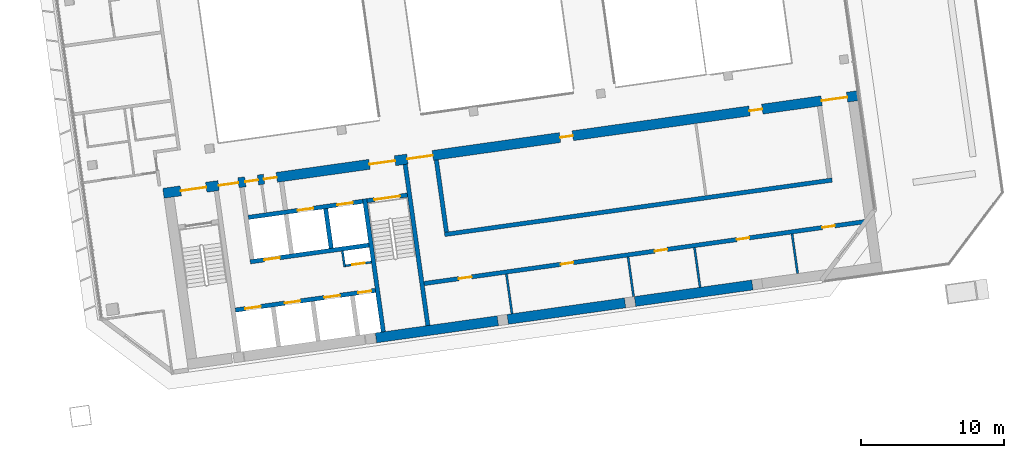
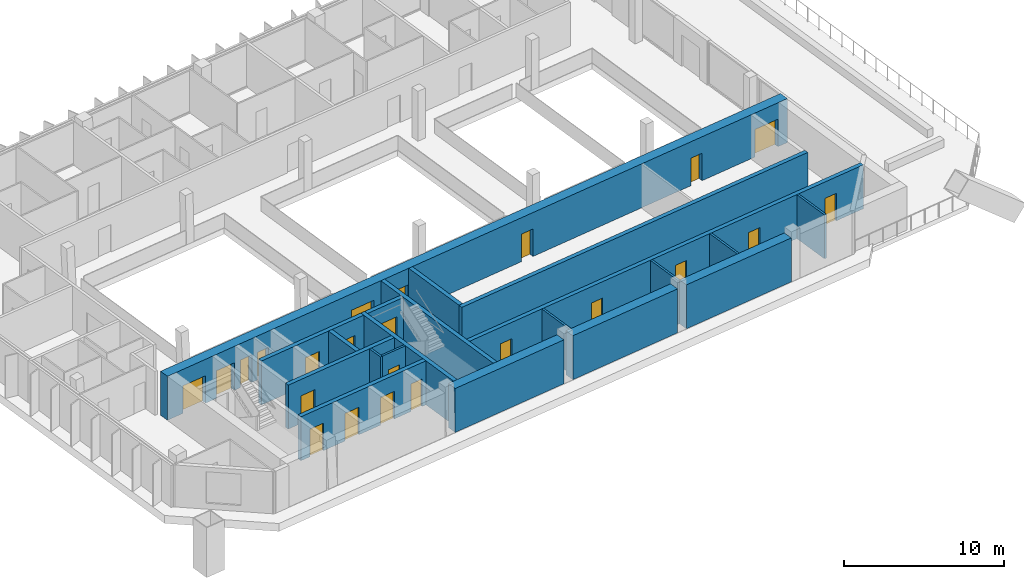
# One storey, part 18 of 23: 23 doors, 20 walls, 23 openings.
"""IFC4 building model written with IfcOpenShell, lengths in metres."""

from ifc_helpers import new_model, si_unit, direction, frame, frame_2d, origin, place, context, subcontext, project, spatial, rectangle, extrude, material, layer, layer_set, type_object, element, fill, save


model = new_model("IFC4")

# Units and contexts
model_context = context("Model", 3, precision=1e-05, world=origin(), true_north=direction((0.0, 1.0)))
body_context = subcontext(model_context, "Body", "Model", "MODEL_VIEW")
ifc_project = project(units=[si_unit("LENGTHUNIT", "METRE"), si_unit("AREAUNIT", "SQUARE_METRE"), si_unit("VOLUMEUNIT", "CUBIC_METRE"), si_unit("PLANEANGLEUNIT", "RADIAN"), si_unit("MASSUNIT", "GRAM", prefix="KILO")], contexts=[model_context])

# Site, building, storey
site_placement = place(None, origin())
site = spatial("IfcSite", under=ifc_project, at=site_placement, CompositionType="ELEMENT")
building_placement = place(site_placement, origin())
building = spatial("IfcBuilding", under=site, at=building_placement, Name="Mirante Cascada Hotel Towers", CompositionType="ELEMENT")
storey_placement = place(building_placement, frame((0.0, 0.0, 180.2)))
storey = spatial("IfcBuildingStorey", under=building, at=storey_placement, Name="L42", CompositionType="ELEMENT", Elevation=180.2)

# Wall
ifc_material_1 = material(Name="Masonry block", Category="masonry")
ifc_layer_1 = layer(ifc_material_1, 0.15)
ifc_layer_set_1 = layer_set([ifc_layer_1], Name="Core room partition 150 block EI 30")
wall_type_1 = type_object("IfcWallType", Name="Core room partition 150 block EI 30", PredefinedType="PARTITIONING", material=ifc_layer_set_1)
wall_1_placement = place(storey_placement, frame((48.2295, -12.793, 0.0), z_axis=(0.0, 0.0, 1.0), x_axis=(-0.1391935, 0.9902652, 0.0)))
element("IfcWall", 1, at=wall_1_placement, inside=storey, type_object=wall_type_1, Name="Core wall partition T2 L42 2", PredefinedType="PARTITIONING", context=body_context, shape_type="SweptSolid", body=[
    extrude(rectangle(XDim=1.1251, YDim=0.15, at=frame_2d((0.5626, 0.0))), origin(), (0.0, 0.0, 1.0), 3.35),
])

# Wall, opening, door
wall_2_placement = place(storey_placement, frame((48.2933, -12.7083, 0.0), z_axis=(0.0, 0.0, 1.0), x_axis=(0.990268, 0.1391734, 0.0)))
wall_2 = element("IfcWall", 2, at=wall_2_placement, inside=storey, type_object=wall_type_1, Name="Core wall partition T2 L42 3", PredefinedType="PARTITIONING", context=body_context, shape_type="SweptSolid", body=[
    extrude(rectangle(XDim=1.8251, YDim=0.15, at=frame_2d((0.9126, 0.0))), origin(), (0.0, 0.0, 1.0), 3.35),
])
opening_1_placement = place(wall_2_placement, frame((0.4625, 0.0, 0.0)))
opening_1 = element("IfcOpeningElement", 3, at=opening_1_placement, cuts=wall_2, Name="Opening D2-42-C15", PredefinedType="OPENING", context=body_context, shape_type="SweptSolid", body=[
    extrude(rectangle(XDim=0.9, YDim=2.1, at=frame_2d((0.45, 1.05))), frame((0.0, 0.075, 0.0), z_axis=(0.0, -1.0, 0.0), x_axis=(1.0, 0.0, 0.0)), (0.0, 0.0, 1.0), 0.15),
])
ifc_material_2 = material(Name="Hollow metal fire door leaf")
door_type_1 = type_object("IfcDoorType", Name="Fire door 900x2100 FD60", OperationType="NOTDEFINED", PredefinedType="DOOR", material=ifc_material_2)
door_1_placement = place(opening_1_placement, frame((0.9, 0.0, 0.0), z_axis=(0.0, 0.0, 1.0), x_axis=(-1.0, 0.0, 0.0)))
door_1 = element("IfcDoor", 4, at=door_1_placement, inside=storey, type_object=door_type_1, Name="Riser door T2 L42 15", OperationType="SINGLE_SWING_RIGHT", OverallHeight=2.1, OverallWidth=0.9, PredefinedType="DOOR", context=body_context, shape_type="SweptSolid", body=[
    extrude(rectangle(XDim=0.9, YDim=2.1, at=frame_2d((0.45, 1.05))), frame((0.0, 0.025, 0.0), z_axis=(0.0, -1.0, 0.0), x_axis=(1.0, 0.0, 0.0)), (0.0, 0.0, 1.0), 0.05),
])
fill(opening_1, door_1)

# Walls
for number, where, z_axis, x_axis, name in (
    (5, (59.9495, -16.0688, 0.0), (0.0, 0.0, 1.0), (-0.139176, 0.9902677, 0.0), "Core wall partition T2 L42 6"),
    (6, (68.4658, -14.8719, 0.0), (0.0, 0.0, 1.0), (-0.139176, 0.9902677, 0.0), "Core wall partition T2 L42 7"),
    (7, (73.12, -14.2178, 0.0), (0.0, 0.0, 1.0), (-0.139176, 0.9902677, 0.0), "Core wall partition T2 L42 8"),
    (8, (79.9529, -13.2575, 0.0), (0.0, 0.0, 1.0), (-0.139176, 0.9902677, 0.0), "Core wall partition T2 L42 9"),
):
    element("IfcWall", number, at=place(storey_placement, frame(where, z_axis=z_axis, x_axis=x_axis)), inside=storey, type_object=wall_type_1, Name=name, PredefinedType="PARTITIONING", context=body_context, shape_type="SweptSolid", body=[
        extrude(rectangle(XDim=2.8001, YDim=0.15, at=frame_2d((1.4, 0.0))), origin(), (0.0, 0.0, 1.0), 3.35),
    ])

# Wall, openings, doors
ifc_material_3 = material(Name="Masonry block", Category="masonry")
ifc_layer_2 = layer(ifc_material_3, 0.3)
ifc_layer_set_2 = layer_set([ifc_layer_2], Name="Core wall 300 block EI 120")
wall_type_2 = type_object("IfcWallType", Name="Core wall 300 block EI 120", PredefinedType="PARTITIONING", material=ifc_layer_set_2)
wall_3_placement = place(storey_placement, frame((53.7953, -13.9547, 0.0), z_axis=(0.0, 0.0, 1.0), x_axis=(0.9902681, 0.1391729, 0.0)))
wall_3 = element("IfcWall", 9, at=wall_3_placement, inside=storey, type_object=wall_type_2, Name="Core wall partition T2 L42 5", PredefinedType="PARTITIONING", context=body_context, shape_type="SweptSolid", body=[
    extrude(rectangle(XDim=31.2, YDim=0.3, at=frame_2d((15.6, 0.0))), origin(), (0.0, 0.0, 1.0), 3.35),
])
opening_2_placement = place(wall_3_placement, frame((2.45, 0.0, 0.0)))
opening_2 = element("IfcOpeningElement", 10, at=opening_2_placement, cuts=wall_3, Name="Opening D2-42-C18", PredefinedType="OPENING", context=body_context, shape_type="SweptSolid", body=[
    extrude(rectangle(XDim=0.9, YDim=2.1, at=frame_2d((0.45, 1.05))), frame((0.0, 0.15, 0.0), z_axis=(0.0, -1.0, 0.0), x_axis=(1.0, 0.0, 0.0)), (0.0, 0.0, 1.0), 0.3),
])
opening_3_placement = place(wall_3_placement, frame((9.65, 0.0, 0.0)))
opening_3 = element("IfcOpeningElement", 11, at=opening_3_placement, cuts=wall_3, Name="Opening D2-42-C19", PredefinedType="OPENING", context=body_context, shape_type="SweptSolid", body=[
    extrude(rectangle(XDim=0.9, YDim=2.1, at=frame_2d((0.45, 1.05))), frame((0.0, 0.15, 0.0), z_axis=(0.0, -1.0, 0.0), x_axis=(1.0, 0.0, 0.0)), (0.0, 0.0, 1.0), 0.3),
])
opening_4_placement = place(wall_3_placement, frame((16.3, 0.0, 0.0)))
opening_4 = element("IfcOpeningElement", 12, at=opening_4_placement, cuts=wall_3, Name="Opening D2-42-C20", PredefinedType="OPENING", context=body_context, shape_type="SweptSolid", body=[
    extrude(rectangle(XDim=0.9, YDim=2.1, at=frame_2d((0.45, 1.05))), frame((0.0, 0.15, 0.0), z_axis=(0.0, -1.0, 0.0), x_axis=(1.0, 0.0, 0.0)), (0.0, 0.0, 1.0), 0.3),
])
opening_5_placement = place(wall_3_placement, frame((22.1, 0.0, 0.0)))
opening_5 = element("IfcOpeningElement", 13, at=opening_5_placement, cuts=wall_3, Name="Opening D2-42-C21", PredefinedType="OPENING", context=body_context, shape_type="SweptSolid", body=[
    extrude(rectangle(XDim=0.9, YDim=2.1, at=frame_2d((0.45, 1.05))), frame((0.0, 0.15, 0.0), z_axis=(0.0, -1.0, 0.0), x_axis=(1.0, 0.0, 0.0)), (0.0, 0.0, 1.0), 0.3),
])
opening_6_placement = place(wall_3_placement, frame((28.15, 0.0, 0.0)))
opening_6 = element("IfcOpeningElement", 14, at=opening_6_placement, cuts=wall_3, Name="Opening D2-42-C22", PredefinedType="OPENING", context=body_context, shape_type="SweptSolid", body=[
    extrude(rectangle(XDim=0.9, YDim=2.1, at=frame_2d((0.45, 1.05))), frame((0.0, 0.15, 0.0), z_axis=(0.0, -1.0, 0.0), x_axis=(1.0, 0.0, 0.0)), (0.0, 0.0, 1.0), 0.3),
])
door_2_placement = place(opening_2_placement, frame((0.9, 0.0, 0.0), z_axis=(0.0, 0.0, 1.0), x_axis=(-1.0, 0.0, 0.0)))
door_2 = element("IfcDoor", 15, at=door_2_placement, inside=storey, type_object=door_type_1, Name="Room door T2 L42 18", OperationType="SINGLE_SWING_LEFT", OverallHeight=2.1, OverallWidth=0.9, PredefinedType="DOOR", context=body_context, shape_type="SweptSolid", body=[
    extrude(rectangle(XDim=0.9, YDim=2.1, at=frame_2d((0.45, 1.05))), frame((0.0, 0.025, 0.0), z_axis=(0.0, -1.0, 0.0), x_axis=(1.0, 0.0, 0.0)), (0.0, 0.0, 1.0), 0.05),
])
fill(opening_2, door_2)
door_3_placement = place(opening_3_placement, frame((0.9, 0.0, 0.0), z_axis=(0.0, 0.0, 1.0), x_axis=(-1.0, 0.0, 0.0)))
door_3 = element("IfcDoor", 16, at=door_3_placement, inside=storey, type_object=door_type_1, Name="Room door T2 L42 19", OperationType="SINGLE_SWING_LEFT", OverallHeight=2.1, OverallWidth=0.9, PredefinedType="DOOR", context=body_context, shape_type="SweptSolid", body=[
    extrude(rectangle(XDim=0.9, YDim=2.1, at=frame_2d((0.45, 1.05))), frame((0.0, 0.025, 0.0), z_axis=(0.0, -1.0, 0.0), x_axis=(1.0, 0.0, 0.0)), (0.0, 0.0, 1.0), 0.05),
])
fill(opening_3, door_3)
door_4_placement = place(opening_4_placement, frame((0.9, 0.0, 0.0), z_axis=(0.0, 0.0, 1.0), x_axis=(-1.0, 0.0, 0.0)))
door_4 = element("IfcDoor", 17, at=door_4_placement, inside=storey, type_object=door_type_1, Name="Room door T2 L42 20", OperationType="SINGLE_SWING_RIGHT", OverallHeight=2.1, OverallWidth=0.9, PredefinedType="DOOR", context=body_context, shape_type="SweptSolid", body=[
    extrude(rectangle(XDim=0.9, YDim=2.1, at=frame_2d((0.45, 1.05))), frame((0.0, 0.025, 0.0), z_axis=(0.0, -1.0, 0.0), x_axis=(1.0, 0.0, 0.0)), (0.0, 0.0, 1.0), 0.05),
])
fill(opening_4, door_4)
door_5_placement = place(opening_5_placement, frame((0.9, 0.0, 0.0), z_axis=(0.0, 0.0, 1.0), x_axis=(-1.0, 0.0, 0.0)))
door_5 = element("IfcDoor", 18, at=door_5_placement, inside=storey, type_object=door_type_1, Name="Room door T2 L42 21", OperationType="SINGLE_SWING_RIGHT", OverallHeight=2.1, OverallWidth=0.9, PredefinedType="DOOR", context=body_context, shape_type="SweptSolid", body=[
    extrude(rectangle(XDim=0.9, YDim=2.1, at=frame_2d((0.45, 1.05))), frame((0.0, 0.025, 0.0), z_axis=(0.0, -1.0, 0.0), x_axis=(1.0, 0.0, 0.0)), (0.0, 0.0, 1.0), 0.05),
])
fill(opening_5, door_5)
door_6_placement = place(opening_6_placement, frame((0.9, 0.0, 0.0), z_axis=(0.0, 0.0, 1.0), x_axis=(-1.0, 0.0, 0.0)))
door_6 = element("IfcDoor", 19, at=door_6_placement, inside=storey, type_object=door_type_1, Name="Room door T2 L42 22", OperationType="SINGLE_SWING_RIGHT", OverallHeight=2.1, OverallWidth=0.9, PredefinedType="DOOR", context=body_context, shape_type="SweptSolid", body=[
    extrude(rectangle(XDim=0.9, YDim=2.1, at=frame_2d((0.45, 1.05))), frame((0.0, 0.025, 0.0), z_axis=(0.0, -1.0, 0.0), x_axis=(1.0, 0.0, 0.0)), (0.0, 0.0, 1.0), 0.05),
])
fill(opening_6, door_6)

# Walls
ifc_material_4 = material(Name="Concrete C50/60", Category="concrete")
ifc_layer_3 = layer(ifc_material_4, 0.3)
ifc_layer_set_3 = layer_set([ifc_layer_3], Name="RC core wall 300 C50/60")
wall_type_3 = type_object("IfcWallType", Name="RC core wall 300 C50/60", PredefinedType="SHEAR", material=ifc_layer_set_3)
wall_4_placement = place(storey_placement, frame((50.938, -17.3352, 0.0), z_axis=(0.0, 0.0, 1.0), x_axis=(-0.1391706, 0.9902684, 0.0)))
element("IfcWall", 20, at=wall_4_placement, inside=storey, type_object=wall_type_3, Name="Core wall T2:L42:6", PredefinedType="SHEAR", context=body_context, shape_type="SweptSolid", body=[
    extrude(rectangle(XDim=9.4, YDim=0.3, at=frame_2d((4.7, 0.0))), origin(), (0.0, 0.0, 1.0), 3.35),
])
wall_5_placement = place(storey_placement, frame((54.0574, -16.8968, 0.0), z_axis=(0.0, 0.0, 1.0), x_axis=(-0.1391761, 0.9902677, 0.0)))
element("IfcWall", 21, at=wall_5_placement, inside=storey, type_object=wall_type_3, Name="Core wall T2:L42:7", PredefinedType="SHEAR", context=body_context, shape_type="SweptSolid", body=[
    extrude(rectangle(XDim=11.3999, YDim=0.3, at=frame_2d((5.7, 0.0))), origin(), (0.0, 0.0, 1.0), 3.35),
])

# Wall, opening, door
wall_6_placement = place(storey_placement, frame((49.7992, -8.1544, 0.0), z_axis=(0.0, 0.0, 1.0), x_axis=(0.9902656, 0.1391909, 0.0)))
wall_6 = element("IfcWall", 22, at=wall_6_placement, inside=storey, type_object=wall_type_3, Name="Core wall T2:L42:9", PredefinedType="SHEAR", context=body_context, shape_type="SweptSolid", body=[
    extrude(rectangle(XDim=2.85, YDim=0.3, at=frame_2d((1.425, 0.0))), origin(), (0.0, 0.0, 1.0), 3.35),
])
opening_7_placement = place(wall_6_placement, frame((0.525, 0.0, 0.0)))
opening_7 = element("IfcOpeningElement", 23, at=opening_7_placement, cuts=wall_6, Name="Opening D2-42-C09", PredefinedType="OPENING", context=body_context, shape_type="SweptSolid", body=[
    extrude(rectangle(XDim=1.8, YDim=2.1, at=frame_2d((0.9, 1.05))), frame((0.0, 0.15, 0.0), z_axis=(0.0, -1.0, 0.0), x_axis=(1.0, 0.0, 0.0)), (0.0, 0.0, 1.0), 0.3),
])
ifc_material_5 = material(Name="Hollow metal fire door leaf")
door_type_2 = type_object("IfcDoorType", Name="Double fire door 1800x2100 FD60", OperationType="DOUBLE_DOOR_SINGLE_SWING", PredefinedType="DOOR", material=ifc_material_5)
door_7_placement = place(opening_7_placement, frame((1.8, 0.0, 0.0), z_axis=(0.0, 0.0, 1.0), x_axis=(-1.0, 0.0, 0.0)))
door_7 = element("IfcDoor", 24, at=door_7_placement, inside=storey, type_object=door_type_2, Name="Stair door T2 L42 9", OperationType="DOUBLE_DOOR_SINGLE_SWING", OverallHeight=2.1, OverallWidth=1.8, PredefinedType="DOOR", context=body_context, shape_type="SweptSolid", body=[
    extrude(rectangle(XDim=0.895, YDim=2.1, at=frame_2d((0.4475, 1.05))), frame((0.0, 0.025, 0.0), z_axis=(0.0, -1.0, 0.0), x_axis=(1.0, 0.0, 0.0)), (0.0, 0.0, 1.0), 0.05),
    extrude(rectangle(XDim=0.895, YDim=2.1, at=frame_2d((1.3525, 1.05))), frame((0.0, 0.025, 0.0), z_axis=(0.0, -1.0, 0.0), x_axis=(1.0, 0.0, 0.0)), (0.0, 0.0, 1.0), 0.05),
])
fill(opening_7, door_7)

# Wall, openings, doors
wall_7_placement = place(storey_placement, frame((40.5753, -15.8126, 0.0), z_axis=(0.0, 0.0, 1.0), x_axis=(0.9902682, 0.1391725, 0.0)))
wall_7 = element("IfcWall", 25, at=wall_7_placement, inside=storey, type_object=wall_type_3, Name="Core wall T2:L42:10", PredefinedType="SHEAR", context=body_context, shape_type="SweptSolid", body=[
    extrude(rectangle(XDim=9.8999, YDim=0.3, at=frame_2d((4.95, 0.0))), origin(), (0.0, 0.0, 1.0), 3.35),
])
opening_8_placement = place(wall_7_placement, frame((0.7, 0.0, 0.0)))
opening_8 = element("IfcOpeningElement", 26, at=opening_8_placement, cuts=wall_7, Name="Opening LD", PredefinedType="OPENING", context=body_context, shape_type="SweptSolid", body=[
    extrude(rectangle(XDim=1.1, YDim=2.1, at=frame_2d((0.55, 1.05))), frame((0.0, 0.15, 0.0), z_axis=(0.0, -1.0, 0.0), x_axis=(1.0, 0.0, 0.0)), (0.0, 0.0, 1.0), 0.3),
])
opening_9_placement = place(wall_7_placement, frame((3.5, 0.0, 0.0)))
opening_9 = element("IfcOpeningElement", 27, at=opening_9_placement, cuts=wall_7, Name="Opening LD", PredefinedType="OPENING", context=body_context, shape_type="SweptSolid", body=[
    extrude(rectangle(XDim=1.1, YDim=2.1, at=frame_2d((0.55, 1.05))), frame((0.0, 0.15, 0.0), z_axis=(0.0, -1.0, 0.0), x_axis=(1.0, 0.0, 0.0)), (0.0, 0.0, 1.0), 0.3),
])
opening_10_placement = place(wall_7_placement, frame((6.3, 0.0, 0.0)))
opening_10 = element("IfcOpeningElement", 28, at=opening_10_placement, cuts=wall_7, Name="Opening LD", PredefinedType="OPENING", context=body_context, shape_type="SweptSolid", body=[
    extrude(rectangle(XDim=1.1, YDim=2.1, at=frame_2d((0.55, 1.05))), frame((0.0, 0.15, 0.0), z_axis=(0.0, -1.0, 0.0), x_axis=(1.0, 0.0, 0.0)), (0.0, 0.0, 1.0), 0.3),
])
opening_11_placement = place(wall_7_placement, frame((8.7, 0.0, 0.0)))
opening_11 = element("IfcOpeningElement", 29, at=opening_11_placement, cuts=wall_7, Name="Opening D2-42-C14", PredefinedType="OPENING", context=body_context, shape_type="SweptSolid", body=[
    extrude(rectangle(XDim=0.9, YDim=2.1, at=frame_2d((0.45, 1.05))), frame((0.0, 0.15, 0.0), z_axis=(0.0, -1.0, 0.0), x_axis=(1.0, 0.0, 0.0)), (0.0, 0.0, 1.0), 0.3),
])
door_8_placement = place(opening_11_placement, frame((0.9, 0.0, 0.0), z_axis=(0.0, 0.0, 1.0), x_axis=(-1.0, 0.0, 0.0)))
door_8 = element("IfcDoor", 30, at=door_8_placement, inside=storey, type_object=door_type_1, Name="Riser door T2 L42 14", OperationType="SINGLE_SWING_RIGHT", OverallHeight=2.1, OverallWidth=0.9, PredefinedType="DOOR", context=body_context, shape_type="SweptSolid", body=[
    extrude(rectangle(XDim=0.9, YDim=2.1, at=frame_2d((0.45, 1.05))), frame((0.0, 0.025, 0.0), z_axis=(0.0, -1.0, 0.0), x_axis=(1.0, 0.0, 0.0)), (0.0, 0.0, 1.0), 0.05),
])
fill(opening_11, door_8)
ifc_material_6 = material(Name="Stainless steel", Category="steel")
door_type_3 = type_object("IfcDoorType", Name="Lift landing door 1100x2100 EI 120", OperationType="DOUBLE_DOOR_SLIDING", PredefinedType="DOOR", material=ifc_material_6)
door_9_placement = place(opening_8_placement, origin())
door_9 = element("IfcDoor", 31, at=door_9_placement, inside=storey, type_object=door_type_3, Name="Lift landing door HR2-1 L42", OperationType="DOUBLE_DOOR_SLIDING", OverallHeight=2.1, OverallWidth=1.1, PredefinedType="DOOR", context=body_context, shape_type="SweptSolid", body=[
    extrude(rectangle(XDim=0.545, YDim=2.1, at=frame_2d((0.2725, 1.05))), frame((0.0, 0.025, 0.0), z_axis=(0.0, -1.0, 0.0), x_axis=(1.0, 0.0, 0.0)), (0.0, 0.0, 1.0), 0.05),
    extrude(rectangle(XDim=0.545, YDim=2.1, at=frame_2d((0.8275, 1.05))), frame((0.0, 0.025, 0.0), z_axis=(0.0, -1.0, 0.0), x_axis=(1.0, 0.0, 0.0)), (0.0, 0.0, 1.0), 0.05),
])
fill(opening_8, door_9)
door_10_placement = place(opening_9_placement, origin())
door_10 = element("IfcDoor", 32, at=door_10_placement, inside=storey, type_object=door_type_3, Name="Lift landing door HR2-2 L42", OperationType="DOUBLE_DOOR_SLIDING", OverallHeight=2.1, OverallWidth=1.1, PredefinedType="DOOR", context=body_context, shape_type="SweptSolid", body=[
    extrude(rectangle(XDim=0.545, YDim=2.1, at=frame_2d((0.2725, 1.05))), frame((0.0, 0.025, 0.0), z_axis=(0.0, -1.0, 0.0), x_axis=(1.0, 0.0, 0.0)), (0.0, 0.0, 1.0), 0.05),
    extrude(rectangle(XDim=0.545, YDim=2.1, at=frame_2d((0.8275, 1.05))), frame((0.0, 0.025, 0.0), z_axis=(0.0, -1.0, 0.0), x_axis=(1.0, 0.0, 0.0)), (0.0, 0.0, 1.0), 0.05),
])
fill(opening_9, door_10)
door_11_placement = place(opening_10_placement, origin())
door_11 = element("IfcDoor", 33, at=door_11_placement, inside=storey, type_object=door_type_3, Name="Lift landing door HR2-3 L42", OperationType="DOUBLE_DOOR_SLIDING", OverallHeight=2.1, OverallWidth=1.1, PredefinedType="DOOR", context=body_context, shape_type="SweptSolid", body=[
    extrude(rectangle(XDim=0.545, YDim=2.1, at=frame_2d((0.2725, 1.05))), frame((0.0, 0.025, 0.0), z_axis=(0.0, -1.0, 0.0), x_axis=(1.0, 0.0, 0.0)), (0.0, 0.0, 1.0), 0.05),
    extrude(rectangle(XDim=0.545, YDim=2.1, at=frame_2d((0.8275, 1.05))), frame((0.0, 0.025, 0.0), z_axis=(0.0, -1.0, 0.0), x_axis=(1.0, 0.0, 0.0)), (0.0, 0.0, 1.0), 0.05),
])
fill(opening_10, door_11)

# Wall, opening, door
wall_8_placement = place(storey_placement, frame((41.6153, -12.435, 0.0), z_axis=(0.0, 0.0, 1.0), x_axis=(0.9902691, 0.139166, 0.0)))
wall_8 = element("IfcWall", 34, at=wall_8_placement, inside=storey, type_object=wall_type_3, Name="Core wall T2:L42:11", PredefinedType="SHEAR", context=body_context, shape_type="SweptSolid", body=[
    extrude(rectangle(XDim=8.4, YDim=0.3, at=frame_2d((4.2, 0.0))), origin(), (0.0, 0.0, 1.0), 3.35),
])
opening_12_placement = place(wall_8_placement, frame((1.0, 0.0, 0.0)))
opening_12 = element("IfcOpeningElement", 35, at=opening_12_placement, cuts=wall_8, Name="Opening LD", PredefinedType="OPENING", context=body_context, shape_type="SweptSolid", body=[
    extrude(rectangle(XDim=1.1, YDim=2.1, at=frame_2d((0.55, 1.05))), frame((0.0, 0.15, 0.0), z_axis=(0.0, -1.0, 0.0), x_axis=(1.0, 0.0, 0.0)), (0.0, 0.0, 1.0), 0.3),
])
door_12_placement = place(opening_12_placement, origin())
door_12 = element("IfcDoor", 36, at=door_12_placement, inside=storey, type_object=door_type_3, Name="Lift landing door HR2-4 L42", OperationType="DOUBLE_DOOR_SLIDING", OverallHeight=2.1, OverallWidth=1.1, PredefinedType="DOOR", context=body_context, shape_type="SweptSolid", body=[
    extrude(rectangle(XDim=0.545, YDim=2.1, at=frame_2d((0.2725, 1.05))), frame((0.0, 0.025, 0.0), z_axis=(0.0, -1.0, 0.0), x_axis=(1.0, 0.0, 0.0)), (0.0, 0.0, 1.0), 0.05),
    extrude(rectangle(XDim=0.545, YDim=2.1, at=frame_2d((0.8275, 1.05))), frame((0.0, 0.025, 0.0), z_axis=(0.0, -1.0, 0.0), x_axis=(1.0, 0.0, 0.0)), (0.0, 0.0, 1.0), 0.05),
])
fill(opening_12, door_12)

# Wall, openings, doors
wall_9_placement = place(storey_placement, frame((41.481, -9.3234, 0.0), z_axis=(0.0, 0.0, 1.0), x_axis=(0.9902679, 0.1391741, 0.0)))
wall_9 = element("IfcWall", 37, at=wall_9_placement, inside=storey, type_object=wall_type_3, Name="Core wall T2:L42:12", PredefinedType="SHEAR", context=body_context, shape_type="SweptSolid", body=[
    extrude(rectangle(XDim=8.0999, YDim=0.3, at=frame_2d((4.05, 0.0))), origin(), (0.0, 0.0, 1.0), 3.35),
])
opening_13_placement = place(wall_9_placement, frame((3.5, 0.0, 0.0)))
opening_13 = element("IfcOpeningElement", 38, at=opening_13_placement, cuts=wall_9, Name="Opening LD", PredefinedType="OPENING", context=body_context, shape_type="SweptSolid", body=[
    extrude(rectangle(XDim=1.1, YDim=2.1, at=frame_2d((0.55, 1.05))), frame((0.0, 0.15, 0.0), z_axis=(0.0, -1.0, 0.0), x_axis=(1.0, 0.0, 0.0)), (0.0, 0.0, 1.0), 0.3),
])
opening_14_placement = place(wall_9_placement, frame((6.3, 0.0, 0.0)))
opening_14 = element("IfcOpeningElement", 39, at=opening_14_placement, cuts=wall_9, Name="Opening LD", PredefinedType="OPENING", context=body_context, shape_type="SweptSolid", body=[
    extrude(rectangle(XDim=1.1, YDim=2.1, at=frame_2d((0.55, 1.05))), frame((0.0, 0.15, 0.0), z_axis=(0.0, -1.0, 0.0), x_axis=(1.0, 0.0, 0.0)), (0.0, 0.0, 1.0), 0.3),
])
door_13_placement = place(opening_13_placement, origin())
door_13 = element("IfcDoor", 40, at=door_13_placement, inside=storey, type_object=door_type_3, Name="Lift landing door FF3 L42", OperationType="DOUBLE_DOOR_SLIDING", OverallHeight=2.1, OverallWidth=1.1, PredefinedType="DOOR", context=body_context, shape_type="SweptSolid", body=[
    extrude(rectangle(XDim=0.545, YDim=2.1, at=frame_2d((0.2725, 1.05))), frame((0.0, 0.025, 0.0), z_axis=(0.0, -1.0, 0.0), x_axis=(1.0, 0.0, 0.0)), (0.0, 0.0, 1.0), 0.05),
    extrude(rectangle(XDim=0.545, YDim=2.1, at=frame_2d((0.8275, 1.05))), frame((0.0, 0.025, 0.0), z_axis=(0.0, -1.0, 0.0), x_axis=(1.0, 0.0, 0.0)), (0.0, 0.0, 1.0), 0.05),
])
fill(opening_13, door_13)
door_14_placement = place(opening_14_placement, origin())
door_14 = element("IfcDoor", 41, at=door_14_placement, inside=storey, type_object=door_type_3, Name="Lift landing door FF4 L42", OperationType="DOUBLE_DOOR_SLIDING", OverallHeight=2.1, OverallWidth=1.1, PredefinedType="DOOR", context=body_context, shape_type="SweptSolid", body=[
    extrude(rectangle(XDim=0.545, YDim=2.1, at=frame_2d((0.2725, 1.05))), frame((0.0, 0.025, 0.0), z_axis=(0.0, -1.0, 0.0), x_axis=(1.0, 0.0, 0.0)), (0.0, 0.0, 1.0), 0.05),
    extrude(rectangle(XDim=0.545, YDim=2.1, at=frame_2d((0.8275, 1.05))), frame((0.0, 0.025, 0.0), z_axis=(0.0, -1.0, 0.0), x_axis=(1.0, 0.0, 0.0)), (0.0, 0.0, 1.0), 0.05),
])
fill(opening_14, door_14)

# Walls
wall_10_placement = place(storey_placement, frame((47.2885, -11.4862, 0.0), z_axis=(0.0, 0.0, 1.0), x_axis=(-0.139181, 0.990267, 0.0)))
element("IfcWall", 42, at=wall_10_placement, inside=storey, type_object=wall_type_3, Name="Core wall T2:L42:17", PredefinedType="SHEAR", context=body_context, shape_type="SweptSolid", body=[
    extrude(rectangle(XDim=2.8, YDim=0.3, at=frame_2d((1.4, 0.0))), origin(), (0.0, 0.0, 1.0), 3.35),
])
wall_11_placement = place(storey_placement, frame((55.2315, -10.5214, 0.0), z_axis=(0.0, 0.0, 1.0), x_axis=(0.9902677, 0.1391754, 0.0)))
element("IfcWall", 43, at=wall_11_placement, inside=storey, type_object=wall_type_3, Name="Core wall T2:L42:28", PredefinedType="SHEAR", context=body_context, shape_type="SweptSolid", body=[
    extrude(rectangle(XDim=27.4, YDim=0.3, at=frame_2d((13.7, 0.0))), origin(), (0.0, 0.0, 1.0), 3.35),
])
wall_12_placement = place(storey_placement, frame((55.3592, -10.352, 0.0), z_axis=(0.0, 0.0, 1.0), x_axis=(-0.1391755, 0.9902677, 0.0)))
element("IfcWall", 44, at=wall_12_placement, inside=storey, type_object=wall_type_3, Name="Core wall T2:L42:29", PredefinedType="SHEAR", context=body_context, shape_type="SweptSolid", body=[
    extrude(rectangle(XDim=5.1, YDim=0.3, at=frame_2d((2.55, 0.0))), origin(), (0.0, 0.0, 1.0), 3.35),
])
ifc_material_7 = material(Name="Concrete C50/60", Category="concrete")
ifc_layer_4 = layer(ifc_material_7, 0.7)
ifc_layer_set_4 = layer_set([ifc_layer_4], Name="RC core wall 700 C50/60")
wall_type_4 = type_object("IfcWallType", Name="RC core wall 700 C50/60", PredefinedType="SHEAR", material=ifc_layer_set_4)
wall_13_placement = place(storey_placement, frame((50.4262, -17.7606, 0.0), z_axis=(0.0, 0.0, 1.0), x_axis=(0.9902684, 0.1391705, 0.0)))
element("IfcWall", 45, at=wall_13_placement, inside=storey, type_object=wall_type_4, Name="Core wall T2:L42:1.3", PredefinedType="SHEAR", context=body_context, shape_type="SweptSolid", body=[
    extrude(rectangle(XDim=8.616, YDim=0.7, at=frame_2d((4.308, 0.0))), origin(), (0.0, 0.0, 1.0), 3.35),
])
for number, where, z_axis, x_axis, name in (
    (46, (59.6516, -16.4641, 0.0), (0.0, 0.0, 1.0), (0.990267, 0.139181, 0.0), "Core wall T2:L42:1.4"),
    (47, (68.564, -15.2115, 0.0), (0.0, 0.0, 1.0), (0.9902686, 0.1391692, 0.0), "Core wall T2:L42:1.5"),
):
    element("IfcWall", number, at=place(storey_placement, frame(where, z_axis=z_axis, x_axis=x_axis)), inside=storey, type_object=wall_type_4, Name=name, PredefinedType="SHEAR", context=body_context, shape_type="SweptSolid", body=[
        extrude(rectangle(XDim=8.3, YDim=0.7, at=frame_2d((4.15, 0.0))), origin(), (0.0, 0.0, 1.0), 3.35),
    ])

# Wall, openings, doors
wall_14_placement = place(storey_placement, frame((35.538, -7.6341, 0.0), z_axis=(0.0, 0.0, 1.0), x_axis=(0.9902681, 0.139173, 0.0)))
wall_14 = element("IfcWall", 48, at=wall_14_placement, inside=storey, type_object=wall_type_4, Name="Core wall T2:L42:2", PredefinedType="SHEAR", context=body_context, shape_type="SweptSolid", body=[
    extrude(rectangle(XDim=49.1, YDim=0.7, at=frame_2d((24.55, 0.0))), origin(), (0.0, 0.0, 1.0), 3.35),
])
opening_15_placement = place(wall_14_placement, frame((1.225, 0.0, 0.0)))
opening_15 = element("IfcOpeningElement", 49, at=opening_15_placement, cuts=wall_14, Name="Opening D2-42-C08", PredefinedType="OPENING", context=body_context, shape_type="SweptSolid", body=[
    extrude(rectangle(XDim=1.8, YDim=2.1, at=frame_2d((0.9, 1.05))), frame((0.0, 0.35, 0.0), z_axis=(0.0, -1.0, 0.0), x_axis=(1.0, 0.0, 0.0)), (0.0, 0.0, 1.0), 0.7),
])
opening_16_placement = place(wall_14_placement, frame((14.575, 0.0, 0.0)))
opening_16 = element("IfcOpeningElement", 50, at=opening_16_placement, cuts=wall_14, Name="Opening D2-42-C10", PredefinedType="OPENING", context=body_context, shape_type="SweptSolid", body=[
    extrude(rectangle(XDim=1.8, YDim=2.1, at=frame_2d((0.9, 1.05))), frame((0.0, 0.35, 0.0), z_axis=(0.0, -1.0, 0.0), x_axis=(1.0, 0.0, 0.0)), (0.0, 0.0, 1.0), 0.7),
])
opening_17_placement = place(wall_14_placement, frame((3.9, 0.0, 0.0)))
opening_17 = element("IfcOpeningElement", 51, at=opening_17_placement, cuts=wall_14, Name="Opening D2-42-C11", PredefinedType="OPENING", context=body_context, shape_type="SweptSolid", body=[
    extrude(rectangle(XDim=1.4, YDim=2.1, at=frame_2d((0.7, 1.05))), frame((0.0, 0.35, 0.0), z_axis=(0.0, -1.0, 0.0), x_axis=(1.0, 0.0, 0.0)), (0.0, 0.0, 1.0), 0.7),
])
opening_18_placement = place(wall_14_placement, frame((17.25, 0.0, 0.0)))
opening_18 = element("IfcOpeningElement", 52, at=opening_18_placement, cuts=wall_14, Name="Opening D2-42-C12", PredefinedType="OPENING", context=body_context, shape_type="SweptSolid", body=[
    extrude(rectangle(XDim=1.8, YDim=2.1, at=frame_2d((0.9, 1.05))), frame((0.0, 0.35, 0.0), z_axis=(0.0, -1.0, 0.0), x_axis=(1.0, 0.0, 0.0)), (0.0, 0.0, 1.0), 0.7),
])
opening_19_placement = place(wall_14_placement, frame((46.55, 0.0, 0.0)))
opening_19 = element("IfcOpeningElement", 53, at=opening_19_placement, cuts=wall_14, Name="Opening D2-42-C13", PredefinedType="OPENING", context=body_context, shape_type="SweptSolid", body=[
    extrude(rectangle(XDim=1.8, YDim=2.1, at=frame_2d((0.9, 1.05))), frame((0.0, 0.35, 0.0), z_axis=(0.0, -1.0, 0.0), x_axis=(1.0, 0.0, 0.0)), (0.0, 0.0, 1.0), 0.7),
])
opening_20_placement = place(wall_14_placement, frame((5.7875, 0.0, 0.0)))
opening_20 = element("IfcOpeningElement", 54, at=opening_20_placement, cuts=wall_14, Name="Opening D2-42-C16", PredefinedType="OPENING", context=body_context, shape_type="SweptSolid", body=[
    extrude(rectangle(XDim=0.9, YDim=2.1, at=frame_2d((0.45, 1.05))), frame((0.0, 0.35, 0.0), z_axis=(0.0, -1.0, 0.0), x_axis=(1.0, 0.0, 0.0)), (0.0, 0.0, 1.0), 0.7),
])
opening_21_placement = place(wall_14_placement, frame((7.1125, 0.0, 0.0)))
opening_21 = element("IfcOpeningElement", 55, at=opening_21_placement, cuts=wall_14, Name="Opening D2-42-C17", PredefinedType="OPENING", context=body_context, shape_type="SweptSolid", body=[
    extrude(rectangle(XDim=0.9, YDim=2.1, at=frame_2d((0.45, 1.05))), frame((0.0, 0.35, 0.0), z_axis=(0.0, -1.0, 0.0), x_axis=(1.0, 0.0, 0.0)), (0.0, 0.0, 1.0), 0.7),
])
opening_22_placement = place(wall_14_placement, frame((28.05, 0.0, 0.0)))
opening_22 = element("IfcOpeningElement", 56, at=opening_22_placement, cuts=wall_14, Name="Opening D2-42-C23", PredefinedType="OPENING", context=body_context, shape_type="SweptSolid", body=[
    extrude(rectangle(XDim=0.9, YDim=2.1, at=frame_2d((0.45, 1.05))), frame((0.0, 0.35, 0.0), z_axis=(0.0, -1.0, 0.0), x_axis=(1.0, 0.0, 0.0)), (0.0, 0.0, 1.0), 0.7),
])
opening_23_placement = place(wall_14_placement, frame((41.45, 0.0, 0.0)))
opening_23 = element("IfcOpeningElement", 57, at=opening_23_placement, cuts=wall_14, Name="Opening D2-42-C24", PredefinedType="OPENING", context=body_context, shape_type="SweptSolid", body=[
    extrude(rectangle(XDim=0.9, YDim=2.1, at=frame_2d((0.45, 1.05))), frame((0.0, 0.35, 0.0), z_axis=(0.0, -1.0, 0.0), x_axis=(1.0, 0.0, 0.0)), (0.0, 0.0, 1.0), 0.7),
])
ifc_material_8 = material(Name="Hollow metal fire door leaf")
door_type_4 = type_object("IfcDoorType", Name="Double fire door 1400x2100 FD60", OperationType="DOUBLE_DOOR_SINGLE_SWING", PredefinedType="DOOR", material=ifc_material_8)
door_15_placement = place(opening_17_placement, origin())
door_15 = element("IfcDoor", 58, at=door_15_placement, inside=storey, type_object=door_type_4, Name="Exit door to gallery T2 L42 11", OperationType="DOUBLE_DOOR_SINGLE_SWING", OverallHeight=2.1, OverallWidth=1.4, PredefinedType="DOOR", context=body_context, shape_type="SweptSolid", body=[
    extrude(rectangle(XDim=0.695, YDim=2.1, at=frame_2d((0.3475, 1.05))), frame((0.0, 0.025, 0.0), z_axis=(0.0, -1.0, 0.0), x_axis=(1.0, 0.0, 0.0)), (0.0, 0.0, 1.0), 0.05),
    extrude(rectangle(XDim=0.695, YDim=2.1, at=frame_2d((1.0525, 1.05))), frame((0.0, 0.025, 0.0), z_axis=(0.0, -1.0, 0.0), x_axis=(1.0, 0.0, 0.0)), (0.0, 0.0, 1.0), 0.05),
])
fill(opening_17, door_15)
door_16_placement = place(opening_15_placement, frame((1.8, 0.0, 0.0), z_axis=(0.0, 0.0, 1.0), x_axis=(-1.0, 0.0, 0.0)))
door_16 = element("IfcDoor", 59, at=door_16_placement, inside=storey, type_object=door_type_2, Name="Exit door to gallery T2 L42 8", OperationType="DOUBLE_DOOR_SINGLE_SWING", OverallHeight=2.1, OverallWidth=1.8, PredefinedType="DOOR", context=body_context, shape_type="SweptSolid", body=[
    extrude(rectangle(XDim=0.895, YDim=2.1, at=frame_2d((0.4475, 1.05))), frame((0.0, 0.025, 0.0), z_axis=(0.0, -1.0, 0.0), x_axis=(1.0, 0.0, 0.0)), (0.0, 0.0, 1.0), 0.05),
    extrude(rectangle(XDim=0.895, YDim=2.1, at=frame_2d((1.3525, 1.05))), frame((0.0, 0.025, 0.0), z_axis=(0.0, -1.0, 0.0), x_axis=(1.0, 0.0, 0.0)), (0.0, 0.0, 1.0), 0.05),
])
fill(opening_15, door_16)
door_17_placement = place(opening_16_placement, frame((1.8, 0.0, 0.0), z_axis=(0.0, 0.0, 1.0), x_axis=(-1.0, 0.0, 0.0)))
door_17 = element("IfcDoor", 60, at=door_17_placement, inside=storey, type_object=door_type_2, Name="Exit door to gallery T2 L42 10", OperationType="DOUBLE_DOOR_SINGLE_SWING", OverallHeight=2.1, OverallWidth=1.8, PredefinedType="DOOR", context=body_context, shape_type="SweptSolid", body=[
    extrude(rectangle(XDim=0.895, YDim=2.1, at=frame_2d((0.4475, 1.05))), frame((0.0, 0.025, 0.0), z_axis=(0.0, -1.0, 0.0), x_axis=(1.0, 0.0, 0.0)), (0.0, 0.0, 1.0), 0.05),
    extrude(rectangle(XDim=0.895, YDim=2.1, at=frame_2d((1.3525, 1.05))), frame((0.0, 0.025, 0.0), z_axis=(0.0, -1.0, 0.0), x_axis=(1.0, 0.0, 0.0)), (0.0, 0.0, 1.0), 0.05),
])
fill(opening_16, door_17)
door_18_placement = place(opening_18_placement, origin())
door_18 = element("IfcDoor", 61, at=door_18_placement, inside=storey, type_object=door_type_2, Name="Exit door to gallery T2 L42 12", OperationType="DOUBLE_DOOR_SINGLE_SWING", OverallHeight=2.1, OverallWidth=1.8, PredefinedType="DOOR", context=body_context, shape_type="SweptSolid", body=[
    extrude(rectangle(XDim=0.895, YDim=2.1, at=frame_2d((0.4475, 1.05))), frame((0.0, 0.025, 0.0), z_axis=(0.0, -1.0, 0.0), x_axis=(1.0, 0.0, 0.0)), (0.0, 0.0, 1.0), 0.05),
    extrude(rectangle(XDim=0.895, YDim=2.1, at=frame_2d((1.3525, 1.05))), frame((0.0, 0.025, 0.0), z_axis=(0.0, -1.0, 0.0), x_axis=(1.0, 0.0, 0.0)), (0.0, 0.0, 1.0), 0.05),
])
fill(opening_18, door_18)
door_19_placement = place(opening_19_placement, origin())
door_19 = element("IfcDoor", 62, at=door_19_placement, inside=storey, type_object=door_type_2, Name="Exit door to gallery T2 L42 13", OperationType="DOUBLE_DOOR_SINGLE_SWING", OverallHeight=2.1, OverallWidth=1.8, PredefinedType="DOOR", context=body_context, shape_type="SweptSolid", body=[
    extrude(rectangle(XDim=0.895, YDim=2.1, at=frame_2d((0.4475, 1.05))), frame((0.0, 0.025, 0.0), z_axis=(0.0, -1.0, 0.0), x_axis=(1.0, 0.0, 0.0)), (0.0, 0.0, 1.0), 0.05),
    extrude(rectangle(XDim=0.895, YDim=2.1, at=frame_2d((1.3525, 1.05))), frame((0.0, 0.025, 0.0), z_axis=(0.0, -1.0, 0.0), x_axis=(1.0, 0.0, 0.0)), (0.0, 0.0, 1.0), 0.05),
])
fill(opening_19, door_19)
door_20_placement = place(opening_20_placement, frame((0.9, 0.0, 0.0), z_axis=(0.0, 0.0, 1.0), x_axis=(-1.0, 0.0, 0.0)))
door_20 = element("IfcDoor", 63, at=door_20_placement, inside=storey, type_object=door_type_1, Name="Room door T2 L42 16", OperationType="SINGLE_SWING_LEFT", OverallHeight=2.1, OverallWidth=0.9, PredefinedType="DOOR", context=body_context, shape_type="SweptSolid", body=[
    extrude(rectangle(XDim=0.9, YDim=2.1, at=frame_2d((0.45, 1.05))), frame((0.0, 0.025, 0.0), z_axis=(0.0, -1.0, 0.0), x_axis=(1.0, 0.0, 0.0)), (0.0, 0.0, 1.0), 0.05),
])
fill(opening_20, door_20)
door_21_placement = place(opening_21_placement, frame((0.9, 0.0, 0.0), z_axis=(0.0, 0.0, 1.0), x_axis=(-1.0, 0.0, 0.0)))
door_21 = element("IfcDoor", 64, at=door_21_placement, inside=storey, type_object=door_type_1, Name="Room door T2 L42 17", OperationType="SINGLE_SWING_LEFT", OverallHeight=2.1, OverallWidth=0.9, PredefinedType="DOOR", context=body_context, shape_type="SweptSolid", body=[
    extrude(rectangle(XDim=0.9, YDim=2.1, at=frame_2d((0.45, 1.05))), frame((0.0, 0.025, 0.0), z_axis=(0.0, -1.0, 0.0), x_axis=(1.0, 0.0, 0.0)), (0.0, 0.0, 1.0), 0.05),
])
fill(opening_21, door_21)
door_22_placement = place(opening_22_placement, frame((0.9, 0.0, 0.0), z_axis=(0.0, 0.0, 1.0), x_axis=(-1.0, 0.0, 0.0)))
door_22 = element("IfcDoor", 65, at=door_22_placement, inside=storey, type_object=door_type_1, Name="Room door T2 L42 23", OperationType="SINGLE_SWING_RIGHT", OverallHeight=2.1, OverallWidth=0.9, PredefinedType="DOOR", context=body_context, shape_type="SweptSolid", body=[
    extrude(rectangle(XDim=0.9, YDim=2.1, at=frame_2d((0.45, 1.05))), frame((0.0, 0.025, 0.0), z_axis=(0.0, -1.0, 0.0), x_axis=(1.0, 0.0, 0.0)), (0.0, 0.0, 1.0), 0.05),
])
fill(opening_22, door_22)
door_23_placement = place(opening_23_placement, frame((0.9, 0.0, 0.0), z_axis=(0.0, 0.0, 1.0), x_axis=(-1.0, 0.0, 0.0)))
door_23 = element("IfcDoor", 66, at=door_23_placement, inside=storey, type_object=door_type_1, Name="Room door T2 L42 24", OperationType="SINGLE_SWING_RIGHT", OverallHeight=2.1, OverallWidth=0.9, PredefinedType="DOOR", context=body_context, shape_type="SweptSolid", body=[
    extrude(rectangle(XDim=0.9, YDim=2.1, at=frame_2d((0.45, 1.05))), frame((0.0, 0.025, 0.0), z_axis=(0.0, -1.0, 0.0), x_axis=(1.0, 0.0, 0.0)), (0.0, 0.0, 1.0), 0.05),
])
fill(opening_23, door_23)

save(model, "model.ifc")
